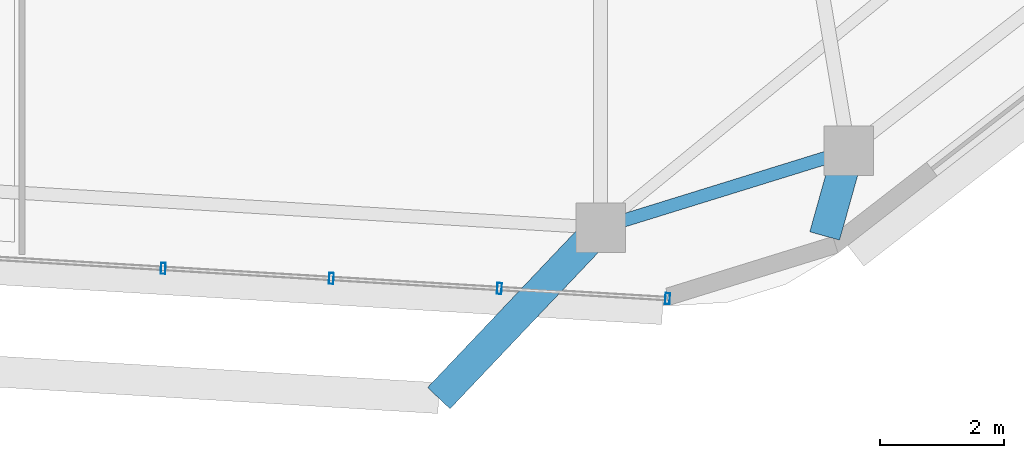
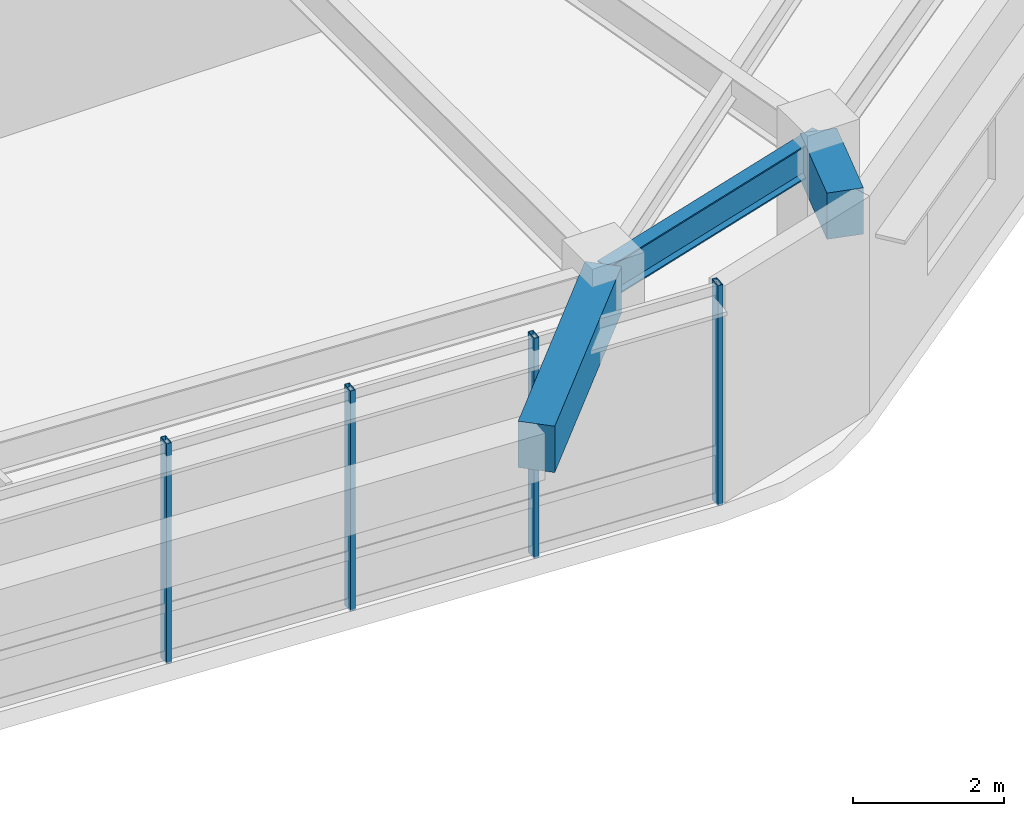
# One storey, part 4 of 12: 4 members, 3 beams, 1 element without a shape of its own.
"""IFC4 building model written with IfcOpenShell, lengths in metres."""

from ifc_helpers import new_model, si_unit, direction, frame, origin, origin_2d, place, context, subcontext, project, spatial, rectangle, hollow_rectangle, i_section, extrude, material, material_profile, profile_set, type_object, element, aggregate, save


model = new_model("IFC4")

# Units and contexts
model_context = context("Model", 3, precision=1e-05, world=origin(), true_north=direction((0.0, 1.0)))
body_context = subcontext(model_context, "Body", "Model", "MODEL_VIEW")
ifc_project = project(units=[si_unit("LENGTHUNIT", "METRE"), si_unit("AREAUNIT", "SQUARE_METRE"), si_unit("VOLUMEUNIT", "CUBIC_METRE"), si_unit("PLANEANGLEUNIT", "RADIAN"), si_unit("MASSUNIT", "GRAM", prefix="KILO")], contexts=[model_context])

# Site, building, storey
site_placement = place(None, origin())
site = spatial("IfcSite", under=ifc_project, at=site_placement, CompositionType="ELEMENT")
building_placement = place(site_placement, origin())
building = spatial("IfcBuilding", under=site, at=building_placement, Name="Zulverin Broadcast Headquarters", CompositionType="ELEMENT")
storey_placement = place(building_placement, frame((0.0, 0.0, 232.60009765625)))
storey = spatial("IfcBuildingStorey", under=building, at=storey_placement, Name="L59", CompositionType="ELEMENT", Elevation=232.60009765625)

# Beams
ifc_material_1 = material(Name="Concrete C40/50", Category="concrete")
ifc_material_profile_1 = material_profile(ifc_material_1, rectangle(XDim=0.5, YDim=0.75, at=origin_2d()), Name="Concrete C40/50", Category="concrete")
ifc_profile_set_1 = profile_set([ifc_material_profile_1], Name="Concrete C40/50")
beam_type_1 = type_object("IfcBeamType", Name="BM-RC-500x750", PredefinedType="BEAM", material=ifc_profile_set_1)
beam_1_placement = place(storey_placement, frame((50.361083984375, 4.001708984375, 3.135009765625), z_axis=(-0.269914876125, -0.962884188076, 0.0), x_axis=(0.962884188076, -0.269914876125, 0.0)))
element("IfcBeam", 1, at=beam_1_placement, inside=storey, type_object=beam_type_1, Name="L60 Plate Overhang Back-Spanned Beam OVR-03", PredefinedType="BEAM", context=body_context, shape_type="SweptSolid", body=[
    extrude(rectangle(XDim=0.5, YDim=0.75, at=origin_2d()), origin(), (0.0, 0.0, 1.0), 1.429931640625),
])
beam_2_placement = place(storey_placement, frame((46.3515625, 2.759521484375, 3.135009765625), z_axis=(-0.688229218548, -0.725493309918, 0.0), x_axis=(0.725493309918, -0.688229218548, 0.0)))
element("IfcBeam", 2, at=beam_2_placement, inside=storey, type_object=beam_type_1, Name="L60 Balcony Column-Framed Cantilever BAL_S-2", PredefinedType="BEAM", context=body_context, shape_type="SweptSolid", body=[
    extrude(rectangle(XDim=0.5, YDim=0.75, at=origin_2d()), origin(), (0.0, 0.0, 1.0), 3.800048828125),
])
ifc_material_2 = material(Name="Structural steel S355JR", Category="steel")
ifc_material_profile_2 = material_profile(ifc_material_2, i_section(OverallWidth=0.2119140625, OverallDepth=0.54443359375, WebThickness=0.0126953125, FlangeThickness=0.021240234375, at=origin_2d()), Name="Structural steel S355JR", Category="steel")
ifc_profile_set_2 = profile_set([ifc_material_profile_2], Name="Structural steel S355JR")
beam_type_2 = type_object("IfcBeamType", Name="BM-UB-533", PredefinedType="SPANDREL", material=ifc_profile_set_2)
beam_3_placement = place(storey_placement, frame((46.3515625, 2.759521484375, 3.237548828125), z_axis=(0.955208799219, 0.295932677978, 0.0), x_axis=(-0.295932677978, 0.955208799219, 0.0)))
element("IfcBeam", 3, at=beam_3_placement, inside=storey, type_object=beam_type_2, Name="L59 Perimeter Spandrel Beam SP-02", PredefinedType="SPANDREL", context=body_context, shape_type="SweptSolid", body=[
    extrude(i_section(OverallWidth=0.2119140625, OverallDepth=0.54443359375, WebThickness=0.0126953125, FlangeThickness=0.021240234375, at=origin_2d()), origin(), (0.0, 0.0, 1.0), 4.197509765625),
])

# Curtain wall, members
ifc_material_3 = material(Name="High-zone solar-control unitised curtain wall", Category="aluminium")
curtain_wall_type = type_object("IfcCurtainWallType", Name="CW-TWR-UPP", PredefinedType="USERDEFINED", material=ifc_material_3)
curtain_wall_placement = place(storey_placement, origin())
curtain_wall = element("IfcCurtainWall", 4, at=curtain_wall_placement, inside=storey, type_object=curtain_wall_type, Name="L59 Unitised Curtain Wall CW-L59-E1", ObjectType="UNITISED CURTAIN WALL", PredefinedType="USERDEFINED")
ifc_material_4 = material(Name="Anodized pale-metal aluminium alloy 6063-T6", Category="aluminium")
ifc_material_profile_3 = material_profile(ifc_material_4, hollow_rectangle(XDim=0.074951171875, YDim=0.179931640625, WallThickness=0.0048828125, at=origin_2d()), Name="Anodized pale-metal aluminium alloy 6063-T6", Category="aluminium")
ifc_profile_set_3 = profile_set([ifc_material_profile_3], Name="Anodized pale-metal aluminium alloy 6063-T6")
member_type = type_object("IfcMemberType", Name="CW-MUL-180", PredefinedType="MULLION", material=ifc_profile_set_3)
member_1_placement = place(storey_placement, frame((39.281005859375, 2.101806640625, -0.030029296875), z_axis=(0.0, 0.0, 1.0), x_axis=(0.998202681386, -0.059928347834, 0.0)))
member_1 = element("IfcMember", 5, at=member_1_placement, type_object=member_type, Name="CW-L59-E1 Mullion 04", PredefinedType="MULLION", context=body_context, shape_type="SweptSolid", body=[
    extrude(hollow_rectangle(XDim=0.074951171875, YDim=0.179931640625, WallThickness=0.0048828125, at=origin_2d()), origin(), (0.0, 0.0, 1.0), 3.56982421875),
])
member_2_placement = place(storey_placement, frame((41.9990234375, 1.938720703125, -0.030029296875), z_axis=(0.0, 0.0, 1.0), x_axis=(0.998202681386, -0.059928347834, 0.0)))
member_2 = element("IfcMember", 6, at=member_2_placement, type_object=member_type, Name="CW-L59-E1 Mullion 05", PredefinedType="MULLION", context=body_context, shape_type="SweptSolid", body=[
    extrude(hollow_rectangle(XDim=0.074951171875, YDim=0.179931640625, WallThickness=0.0048828125, at=origin_2d()), origin(), (0.0, 0.0, 1.0), 3.56982421875),
])
member_3_placement = place(storey_placement, frame((44.716796875, 1.775634765625, -0.030029296875), z_axis=(0.0, 0.0, 1.0), x_axis=(0.998202681386, -0.059928347834, 0.0)))
member_3 = element("IfcMember", 7, at=member_3_placement, type_object=member_type, Name="CW-L59-E1 Mullion 06", PredefinedType="MULLION", context=body_context, shape_type="SweptSolid", body=[
    extrude(hollow_rectangle(XDim=0.074951171875, YDim=0.179931640625, WallThickness=0.0048828125, at=origin_2d()), origin(), (0.0, 0.0, 1.0), 3.56982421875),
])
member_4_placement = place(storey_placement, frame((47.434814453125, 1.6123046875, -0.030029296875), z_axis=(0.0, 0.0, 1.0), x_axis=(0.998202681386, -0.059928347834, 0.0)))
member_4 = element("IfcMember", 8, at=member_4_placement, type_object=member_type, Name="CW-L59-E1 Mullion 07", PredefinedType="MULLION", context=body_context, shape_type="SweptSolid", body=[
    extrude(hollow_rectangle(XDim=0.074951171875, YDim=0.179931640625, WallThickness=0.0048828125, at=origin_2d()), origin(), (0.0, 0.0, 1.0), 3.56982421875),
])
aggregate(curtain_wall, [member_1, member_2, member_3, member_4])

save(model, "model.ifc")
